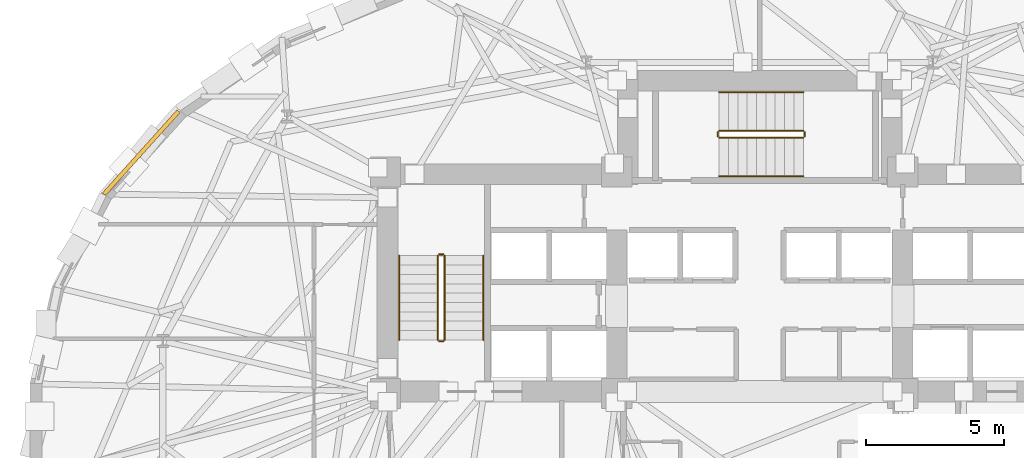
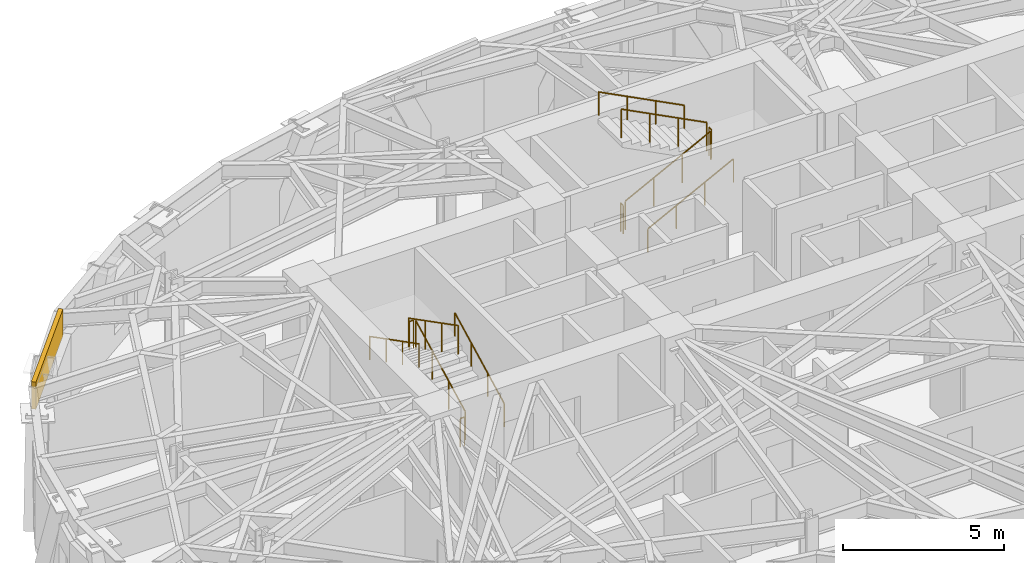
# One storey, part 12 of 14: 12 railings, 1 covering.
"""IFC4 building model written with IfcOpenShell, lengths in metres."""

from ifc_helpers import new_model, si_unit, direction, frame, origin, origin_2d, place, context, subcontext, project, spatial, rectangle, circle, extrude, material, layer, layer_set, type_object, element, save


model = new_model("IFC4")

# Units and contexts
model_context = context("Model", 3, precision=1e-05, world=origin(), true_north=direction((0.0, 1.0)))
body_context = subcontext(model_context, "Body", "Model", "MODEL_VIEW")
ifc_project = project(units=[si_unit("LENGTHUNIT", "METRE"), si_unit("AREAUNIT", "SQUARE_METRE"), si_unit("VOLUMEUNIT", "CUBIC_METRE"), si_unit("PLANEANGLEUNIT", "RADIAN"), si_unit("MASSUNIT", "GRAM", prefix="KILO")], contexts=[model_context])

# Site, building, storey
site_placement = place(None, origin())
site = spatial("IfcSite", under=ifc_project, at=site_placement, CompositionType="ELEMENT")
building_placement = place(site_placement, origin())
building = spatial("IfcBuilding", under=site, at=building_placement, Name="Keldmark Tower", CompositionType="ELEMENT")
storey_placement = place(building_placement, frame((0.0, 0.0, 117.60009765625)))
storey = spatial("IfcBuildingStorey", under=building, at=storey_placement, Name="L31", CompositionType="ELEMENT", Elevation=117.60009765625)

# Covering
ifc_material_1 = material(Name="Honed Kasota Buff Dolomitic Limestone", Category="masonry")
ifc_layer = layer(ifc_material_1, 0.074951171875)
ifc_layer_set = layer_set([ifc_layer], Name="Honed Kasota Buff Dolomitic Limestone")
covering_type = type_object("IfcCoveringType", Name="Kasota Buff Limestone Spandrel Cladding Band", PredefinedType="CLADDING", material=ifc_layer_set)
covering_placement = place(storey_placement, frame((-22.476318359375, 10.154296875, 2.45166015625), z_axis=(0.0, 0.0, 1.0), x_axis=(-0.668741404933, -0.743495079559, 0.0)))
element("IfcCovering", 1, at=covering_placement, inside=storey, type_object=covering_type, Name="L31 Kasota Limestone Spandrel Band 13", PredefinedType="CLADDING", context=body_context, shape_type="SweptSolid", body=[
    extrude(rectangle(XDim=4.04541015625, YDim=0.14990234375, at=origin_2d()), origin(), (0.0, 0.0, 1.0), 1.028076171875),
])

# Railings
ifc_material_2 = material(Name="Painted Steel ASTM A500 Grade B", Category="steel")
railing_type_1 = type_object("IfcRailingType", Name="Painted Steel Stair Well Guard 1100 mm", PredefinedType="GUARDRAIL", material=ifc_material_2)
railing_1_placement = place(storey_placement, frame((-11.449951171875, 3.35009765625, 0.1748046875)))
element("IfcRailing", 2, at=railing_1_placement, inside=storey, type_object=railing_type_1, Name="L31 ST1 stair guard 1", PredefinedType="GUARDRAIL", context=body_context, shape_type="SweptSolid", body=[
    extrude(circle(Radius=0.02392578125, at=origin_2d()), frame((0.0, 0.0, 1.076171875), z_axis=(0.0, 0.889101422983, 0.457710235465), x_axis=(-1.0, 0.0, 0.0)), (0.0, 0.0, 1.0), 3.44140625),
    extrude(circle(Radius=0.02099609375, at=origin_2d()), origin(), (0.0, 0.0, 1.0), 1.052001953125),
    extrude(circle(Radius=0.02099609375, at=origin_2d()), frame((0.0, 1.02001953125, 0.525146484375)), (0.0, 0.0, 1.0), 1.052001953125),
    extrude(circle(Radius=0.02099609375, at=origin_2d()), frame((0.0, 2.039794921875, 1.050048828125)), (0.0, 0.0, 1.0), 1.052001953125),
    extrude(circle(Radius=0.02099609375, at=origin_2d()), frame((0.0, 3.059814453125, 1.5751953125)), (0.0, 0.0, 1.0), 1.052001953125),
])
railing_2_placement = place(storey_placement, frame((-11.5, 6.4599609375, 1.75)))
element("IfcRailing", 3, at=railing_2_placement, inside=storey, type_object=railing_type_1, Name="L31 ST1 stair guard 2", PredefinedType="GUARDRAIL", context=body_context, shape_type="SweptSolid", body=[
    extrude(circle(Radius=0.02392578125, at=origin_2d()), frame((0.0, 0.0, 1.076171875), z_axis=(-1.0, 0.0, 0.0), x_axis=(0.0, -1.0, 0.0)), (0.0, 0.0, 1.0), 0.14990234375),
    extrude(circle(Radius=0.02099609375, at=origin_2d()), origin(), (0.0, 0.0, 1.0), 1.052001953125),
    extrude(circle(Radius=0.02099609375, at=origin_2d()), frame((-0.14990234375, 0.0, 0.0)), (0.0, 0.0, 1.0), 1.052001953125),
])
railing_3_placement = place(storey_placement, frame((-11.699951171875, 6.409912109375, 1.9248046875)))
element("IfcRailing", 4, at=railing_3_placement, inside=storey, type_object=railing_type_1, Name="L31 ST1 stair guard 3", PredefinedType="GUARDRAIL", context=body_context, shape_type="SweptSolid", body=[
    extrude(circle(Radius=0.02392578125, at=origin_2d()), frame((0.0, 0.0, 1.076171875), z_axis=(0.0, -0.889101422983, 0.457710235465), x_axis=(1.0, 0.0, 0.0)), (0.0, 0.0, 1.0), 3.44140625),
    extrude(circle(Radius=0.02099609375, at=origin_2d()), origin(), (0.0, 0.0, 1.0), 1.052001953125),
    extrude(circle(Radius=0.02099609375, at=origin_2d()), frame((0.0, -1.02001953125, 0.525146484375)), (0.0, 0.0, 1.0), 1.052001953125),
    extrude(circle(Radius=0.02099609375, at=origin_2d()), frame((0.0, -2.039794921875, 1.050048828125)), (0.0, 0.0, 1.0), 1.052001953125),
    extrude(circle(Radius=0.02099609375, at=origin_2d()), frame((0.0, -3.059814453125, 1.5751953125)), (0.0, 0.0, 1.0), 1.052001953125),
])
railing_4_placement = place(storey_placement, frame((-11.5, 3.300048828125, 0.0)))
element("IfcRailing", 5, at=railing_4_placement, inside=storey, type_object=railing_type_1, Name="L31 ST1 stair guard 4", PredefinedType="GUARDRAIL", context=body_context, shape_type="SweptSolid", body=[
    extrude(circle(Radius=0.02392578125, at=origin_2d()), frame((0.0, 0.0, 1.076171875), z_axis=(-1.0, 0.0, 0.0), x_axis=(0.0, -1.0, 0.0)), (0.0, 0.0, 1.0), 0.14990234375),
    extrude(circle(Radius=0.02099609375, at=origin_2d()), origin(), (0.0, 0.0, 1.0), 1.052001953125),
    extrude(circle(Radius=0.02099609375, at=origin_2d()), frame((-0.14990234375, 0.0, 0.0)), (0.0, 0.0, 1.0), 1.052001953125),
])
railing_5_placement = place(storey_placement, frame((-1.47509765625, 10.699951171875, 0.1748046875)))
element("IfcRailing", 6, at=railing_5_placement, inside=storey, type_object=railing_type_1, Name="L31 ST3 stair guard 1", PredefinedType="GUARDRAIL", context=body_context, shape_type="SweptSolid", body=[
    extrude(circle(Radius=0.02392578125, at=origin_2d()), frame((0.0, 0.0, 1.076171875), z_axis=(0.889116283586, 0.0, 0.457681367616), x_axis=(0.0, 1.0, 0.0)), (0.0, 0.0, 1.0), 3.441650390625),
    extrude(circle(Radius=0.02099609375, at=origin_2d()), origin(), (0.0, 0.0, 1.0), 1.052001953125),
    extrude(circle(Radius=0.02099609375, at=origin_2d()), frame((1.02001953125, 0.0, 0.525146484375)), (0.0, 0.0, 1.0), 1.052001953125),
    extrude(circle(Radius=0.02099609375, at=origin_2d()), frame((2.0400390625, 0.0, 1.050048828125)), (0.0, 0.0, 1.0), 1.052001953125),
    extrude(circle(Radius=0.02099609375, at=origin_2d()), frame((3.06005859375, 0.0, 1.5751953125)), (0.0, 0.0, 1.0), 1.052001953125),
])
railing_6_placement = place(storey_placement, frame((1.635009765625, 10.75, 1.75)))
element("IfcRailing", 7, at=railing_6_placement, inside=storey, type_object=railing_type_1, Name="L31 ST3 stair guard 2", PredefinedType="GUARDRAIL", context=body_context, shape_type="SweptSolid", body=[
    extrude(circle(Radius=0.02392578125, at=origin_2d()), frame((0.0, 0.0, 1.076171875), z_axis=(0.0, 1.0, 0.0), x_axis=(-1.0, 0.0, 0.0)), (0.0, 0.0, 1.0), 0.14990234375),
    extrude(circle(Radius=0.02099609375, at=origin_2d()), origin(), (0.0, 0.0, 1.0), 1.052001953125),
    extrude(circle(Radius=0.02099609375, at=origin_2d()), frame((0.0, 0.14990234375, 0.0)), (0.0, 0.0, 1.0), 1.052001953125),
])
railing_7_placement = place(storey_placement, frame((1.5849609375, 10.949951171875, 1.9248046875)))
element("IfcRailing", 8, at=railing_7_placement, inside=storey, type_object=railing_type_1, Name="L31 ST3 stair guard 3", PredefinedType="GUARDRAIL", context=body_context, shape_type="SweptSolid", body=[
    extrude(circle(Radius=0.02392578125, at=origin_2d()), frame((0.0, 0.0, 1.076171875), z_axis=(-0.889116283586, 0.0, 0.457681367616), x_axis=(0.0, -1.0, 0.0)), (0.0, 0.0, 1.0), 3.441650390625),
    extrude(circle(Radius=0.02099609375, at=origin_2d()), origin(), (0.0, 0.0, 1.0), 1.052001953125),
    extrude(circle(Radius=0.02099609375, at=origin_2d()), frame((-1.02001953125, 0.0, 0.525146484375)), (0.0, 0.0, 1.0), 1.052001953125),
    extrude(circle(Radius=0.02099609375, at=origin_2d()), frame((-2.0400390625, 0.0, 1.050048828125)), (0.0, 0.0, 1.0), 1.052001953125),
    extrude(circle(Radius=0.02099609375, at=origin_2d()), frame((-3.06005859375, 0.0, 1.5751953125)), (0.0, 0.0, 1.0), 1.052001953125),
])
railing_8_placement = place(storey_placement, frame((-1.52490234375, 10.75, 0.0)))
element("IfcRailing", 9, at=railing_8_placement, inside=storey, type_object=railing_type_1, Name="L31 ST3 stair guard 4", PredefinedType="GUARDRAIL", context=body_context, shape_type="SweptSolid", body=[
    extrude(circle(Radius=0.02392578125, at=origin_2d()), frame((0.0, 0.0, 1.076171875), z_axis=(0.0, 1.0, 0.0), x_axis=(-1.0, 0.0, 0.0)), (0.0, 0.0, 1.0), 0.14990234375),
    extrude(circle(Radius=0.02099609375, at=origin_2d()), origin(), (0.0, 0.0, 1.0), 1.052001953125),
    extrude(circle(Radius=0.02099609375, at=origin_2d()), frame((0.0, 0.14990234375, 0.0)), (0.0, 0.0, 1.0), 1.052001953125),
])
ifc_material_3 = material(Name="Stainless Steel AISI 316L", Category="steel")
railing_type_2 = type_object("IfcRailingType", Name="Stainless Steel Stair Handrail 900 mm", PredefinedType="HANDRAIL", material=ifc_material_3)
railing_9_placement = place(storey_placement, frame((-10.050048828125, 3.35009765625, 0.1748046875)))
element("IfcRailing", 10, at=railing_9_placement, inside=storey, type_object=railing_type_2, Name="L31 ST1 stair handrail 1", PredefinedType="HANDRAIL", context=body_context, shape_type="SweptSolid", body=[
    extrude(circle(Radius=0.02392578125, at=origin_2d()), frame((0.0, 0.0, 0.8759765625), z_axis=(0.0, 0.889101422983, 0.457710235465), x_axis=(-1.0, 0.0, 0.0)), (0.0, 0.0, 1.0), 3.44140625),
    extrude(circle(Radius=0.02099609375, at=origin_2d()), origin(), (0.0, 0.0, 1.0), 0.851806640625),
    extrude(circle(Radius=0.02099609375, at=origin_2d()), frame((0.0, 1.02001953125, 0.525146484375)), (0.0, 0.0, 1.0), 0.851806640625),
    extrude(circle(Radius=0.02099609375, at=origin_2d()), frame((0.0, 2.039794921875, 1.050048828125)), (0.0, 0.0, 1.0), 0.851806640625),
    extrude(circle(Radius=0.02099609375, at=origin_2d()), frame((0.0, 3.059814453125, 1.5751953125)), (0.0, 0.0, 1.0), 0.851806640625),
])
railing_10_placement = place(storey_placement, frame((-13.10009765625, 6.409912109375, 1.9248046875)))
element("IfcRailing", 11, at=railing_10_placement, inside=storey, type_object=railing_type_2, Name="L31 ST1 stair handrail 2", PredefinedType="HANDRAIL", context=body_context, shape_type="SweptSolid", body=[
    extrude(circle(Radius=0.02392578125, at=origin_2d()), frame((0.0, 0.0, 0.8759765625), z_axis=(0.0, -0.889101422983, 0.457710235465), x_axis=(1.0, 0.0, 0.0)), (0.0, 0.0, 1.0), 3.44140625),
    extrude(circle(Radius=0.02099609375, at=origin_2d()), origin(), (0.0, 0.0, 1.0), 0.851806640625),
    extrude(circle(Radius=0.02099609375, at=origin_2d()), frame((0.0, -1.02001953125, 0.525146484375)), (0.0, 0.0, 1.0), 0.851806640625),
    extrude(circle(Radius=0.02099609375, at=origin_2d()), frame((0.0, -2.039794921875, 1.050048828125)), (0.0, 0.0, 1.0), 0.851806640625),
    extrude(circle(Radius=0.02099609375, at=origin_2d()), frame((0.0, -3.059814453125, 1.5751953125)), (0.0, 0.0, 1.0), 0.851806640625),
])
railing_11_placement = place(storey_placement, frame((-1.47509765625, 9.300048828125, 0.1748046875)))
element("IfcRailing", 12, at=railing_11_placement, inside=storey, type_object=railing_type_2, Name="L31 ST3 stair handrail 1", PredefinedType="HANDRAIL", context=body_context, shape_type="SweptSolid", body=[
    extrude(circle(Radius=0.02392578125, at=origin_2d()), frame((0.0, 0.0, 0.8759765625), z_axis=(0.889116283586, 0.0, 0.457681367616), x_axis=(0.0, 1.0, 0.0)), (0.0, 0.0, 1.0), 3.441650390625),
    extrude(circle(Radius=0.02099609375, at=origin_2d()), origin(), (0.0, 0.0, 1.0), 0.851806640625),
    extrude(circle(Radius=0.02099609375, at=origin_2d()), frame((1.02001953125, 0.0, 0.525146484375)), (0.0, 0.0, 1.0), 0.851806640625),
    extrude(circle(Radius=0.02099609375, at=origin_2d()), frame((2.0400390625, 0.0, 1.050048828125)), (0.0, 0.0, 1.0), 0.851806640625),
    extrude(circle(Radius=0.02099609375, at=origin_2d()), frame((3.06005859375, 0.0, 1.5751953125)), (0.0, 0.0, 1.0), 0.851806640625),
])
railing_12_placement = place(storey_placement, frame((1.5849609375, 12.35009765625, 1.9248046875)))
element("IfcRailing", 13, at=railing_12_placement, inside=storey, type_object=railing_type_2, Name="L31 ST3 stair handrail 2", PredefinedType="HANDRAIL", context=body_context, shape_type="SweptSolid", body=[
    extrude(circle(Radius=0.02392578125, at=origin_2d()), frame((0.0, 0.0, 0.8759765625), z_axis=(-0.889116283586, 0.0, 0.457681367616), x_axis=(0.0, -1.0, 0.0)), (0.0, 0.0, 1.0), 3.441650390625),
    extrude(circle(Radius=0.02099609375, at=origin_2d()), origin(), (0.0, 0.0, 1.0), 0.851806640625),
    extrude(circle(Radius=0.02099609375, at=origin_2d()), frame((-1.02001953125, 0.0, 0.525146484375)), (0.0, 0.0, 1.0), 0.851806640625),
    extrude(circle(Radius=0.02099609375, at=origin_2d()), frame((-2.0400390625, 0.0, 1.050048828125)), (0.0, 0.0, 1.0), 0.851806640625),
    extrude(circle(Radius=0.02099609375, at=origin_2d()), frame((-3.06005859375, 0.0, 1.5751953125)), (0.0, 0.0, 1.0), 0.851806640625),
])

save(model, "model.ifc")
